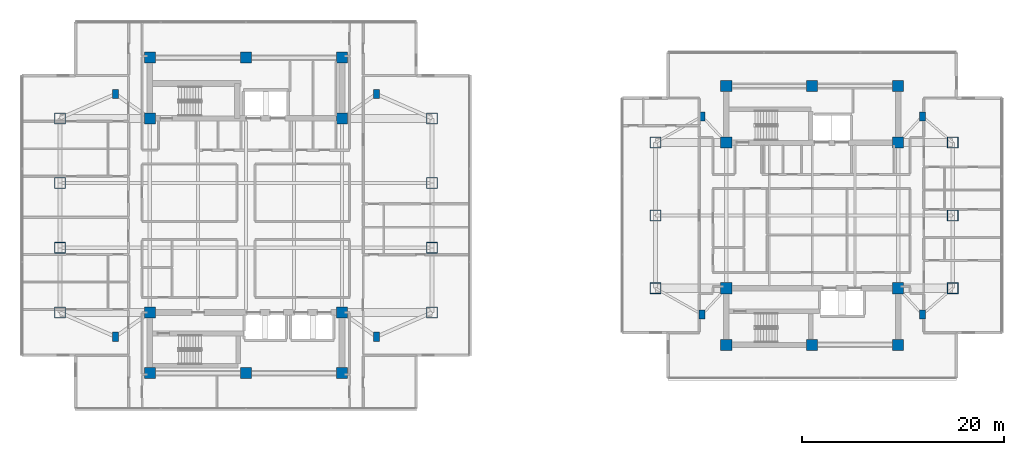
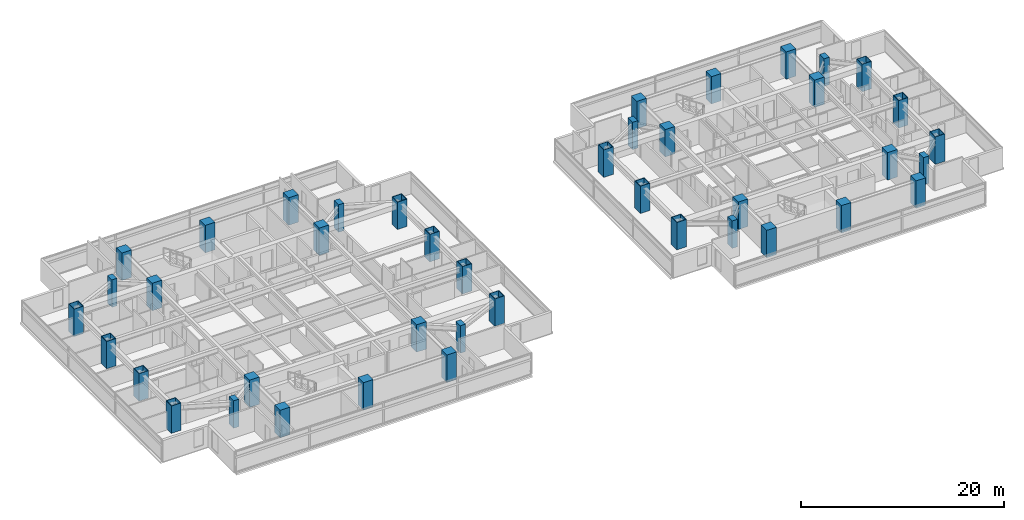
# One storey, part 1 of 24: 42 columns.
"""IFC4 building model written with IfcOpenShell, lengths in metres."""

from ifc_helpers import new_model, si_unit, direction, frame, origin, origin_2d, place, context, subcontext, project, spatial, rectangle, hollow_rectangle, extrude, material, material_profile, profile_set, type_object, element, save


model = new_model("IFC4")

# Units and contexts
model_context = context("Model", 3, precision=1e-05, world=origin(), true_north=direction((0.0, 1.0)))
body_context = subcontext(model_context, "Body", "Model", "MODEL_VIEW")
ifc_project = project(units=[si_unit("LENGTHUNIT", "METRE"), si_unit("AREAUNIT", "SQUARE_METRE"), si_unit("VOLUMEUNIT", "CUBIC_METRE"), si_unit("PLANEANGLEUNIT", "RADIAN"), si_unit("MASSUNIT", "GRAM", prefix="KILO")], contexts=[model_context])

# Site, building, storey
site_placement = place(None, origin())
site = spatial("IfcSite", under=ifc_project, at=site_placement, CompositionType="ELEMENT")
building_placement = place(site_placement, origin())
building = spatial("IfcBuilding", under=site, at=building_placement, Name="Mirazonda Arch Towers", CompositionType="ELEMENT")
storey_placement = place(building_placement, frame((0.0, 0.0, 144.5)))
storey = spatial("IfcBuildingStorey", under=building, at=storey_placement, Name="L41", CompositionType="ELEMENT", Elevation=144.5)

# Columns
ifc_material_1 = material(Name="Concrete C50/60", Category="concrete")
ifc_material_profile_1 = material_profile(ifc_material_1, rectangle(XDim=1.10009765625, YDim=1.10009765625, at=origin_2d()), Name="RC1100x1100")
ifc_profile_set_1 = profile_set([ifc_material_profile_1], Name="Concrete C50/60")
column_type_1 = type_object("IfcColumnType", Name="COL-INT-RC1100x1100", PredefinedType="COLUMN", material=ifc_profile_set_1)
for number, where, z_axis, x_axis, name in (
    (1, (11.0, 12.39990234375, 0.0), (0.0, 0.0, 1.0), (1.0, 0.0, 0.0), "L41 T1 Core Column 01"),
    (2, (20.5, 12.39990234375, 0.0), (0.0, 0.0, 1.0), (1.0, 0.0, 0.0), "L41 T1 Core Column 02"),
    (3, (30.0, 12.39990234375, 0.0), (0.0, 0.0, 1.0), (1.0, 0.0, 0.0), "L41 T1 Core Column 03"),
    (4, (11.0, 18.39990234375, 0.0), (0.0, 0.0, 1.0), (1.0, 0.0, 0.0), "L41 T1 Core Column 04"),
    (5, (30.0, 18.39990234375, 0.0), (0.0, 0.0, 1.0), (1.0, 0.0, 0.0), "L41 T1 Core Column 05"),
    (6, (11.0, 37.60009765625, 0.0), (0.0, 0.0, 1.0), (1.0, 0.0, 0.0), "L41 T1 Core Column 06"),
    (7, (30.0, 37.60009765625, 0.0), (0.0, 0.0, 1.0), (1.0, 0.0, 0.0), "L41 T1 Core Column 07"),
    (8, (11.0, 43.60009765625, 0.0), (0.0, 0.0, 1.0), (1.0, 0.0, 0.0), "L41 T1 Core Column 08"),
    (9, (20.5, 43.60009765625, 0.0), (0.0, 0.0, 1.0), (1.0, 0.0, 0.0), "L41 T1 Core Column 09"),
    (10, (30.0, 43.60009765625, 0.0), (0.0, 0.0, 1.0), (1.0, 0.0, 0.0), "L41 T1 Core Column 10"),
    (11, (68.0, 15.199951171875, 0.0), (0.0, 0.0, 1.0), (1.0, 0.0, 0.0), "L41 T2 Core Column 01"),
    (12, (76.5, 15.199951171875, 0.0), (0.0, 0.0, 1.0), (1.0, 0.0, 0.0), "L41 T2 Core Column 02"),
    (13, (85.0, 15.199951171875, 0.0), (0.0, 0.0, 1.0), (1.0, 0.0, 0.0), "L41 T2 Core Column 03"),
    (14, (68.0, 20.800048828125, 0.0), (0.0, 0.0, 1.0), (1.0, 0.0, 0.0), "L41 T2 Core Column 04"),
    (15, (85.0, 20.800048828125, 0.0), (0.0, 0.0, 1.0), (1.0, 0.0, 0.0), "L41 T2 Core Column 05"),
    (16, (68.0, 35.199951171875, 0.0), (0.0, 0.0, 1.0), (1.0, 0.0, 0.0), "L41 T2 Core Column 06"),
    (17, (85.0, 35.199951171875, 0.0), (0.0, 0.0, 1.0), (1.0, 0.0, 0.0), "L41 T2 Core Column 07"),
    (18, (68.0, 40.800048828125, 0.0), (0.0, 0.0, 1.0), (1.0, 0.0, 0.0), "L41 T2 Core Column 08"),
    (19, (76.5, 40.800048828125, 0.0), (0.0, 0.0, 1.0), (1.0, 0.0, 0.0), "L41 T2 Core Column 09"),
    (20, (85.0, 40.800048828125, 0.0), (0.0, 0.0, 1.0), (1.0, 0.0, 0.0), "L41 T2 Core Column 10"),
):
    element("IfcColumn", number, at=place(storey_placement, frame(where, z_axis=z_axis, x_axis=x_axis)), inside=storey, type_object=column_type_1, Name=name, PredefinedType="COLUMN", context=body_context, shape_type="SweptSolid", body=[
        extrude(rectangle(XDim=1.10009765625, YDim=1.10009765625, at=origin_2d()), origin(), (0.0, 0.0, 1.0), 3.300048828125),
    ])
ifc_material_2 = material(Name="Steel ASTM A572 Grade 50", Category="steel")
ifc_material_profile_2 = material_profile(ifc_material_2, hollow_rectangle(XDim=1.10009765625, YDim=1.10009765625, WallThickness=0.06005859375, at=origin_2d()), Name="BOX1100x1100x60")
ifc_profile_set_2 = profile_set([ifc_material_profile_2], Name="Steel ASTM A572 Grade 50")
column_type_2 = type_object("IfcColumnType", Name="MCOL-EXT-BOX1100x1100x60", PredefinedType="COLUMN", material=ifc_profile_set_2)
for number, where, z_axis, x_axis, name in (
    (21, (2.10009765625, 18.39990234375, 0.0), (0.0, 0.0, 1.0), (1.0, 0.0, 0.0), "L41 T1 Composite Mega-Column 01"),
    (22, (2.10009765625, 24.800048828125, 0.0), (0.0, 0.0, 1.0), (1.0, 0.0, 0.0), "L41 T1 Composite Mega-Column 02"),
    (23, (2.10009765625, 31.199951171875, 0.0), (0.0, 0.0, 1.0), (1.0, 0.0, 0.0), "L41 T1 Composite Mega-Column 03"),
    (24, (2.10009765625, 37.60009765625, 0.0), (0.0, 0.0, 1.0), (1.0, 0.0, 0.0), "L41 T1 Composite Mega-Column 04"),
    (25, (38.89990234375, 18.39990234375, 0.0), (0.0, 0.0, 1.0), (1.0, 0.0, 0.0), "L41 T1 Composite Mega-Column 05"),
    (26, (38.89990234375, 24.800048828125, 0.0), (0.0, 0.0, 1.0), (1.0, 0.0, 0.0), "L41 T1 Composite Mega-Column 06"),
    (27, (38.89990234375, 31.199951171875, 0.0), (0.0, 0.0, 1.0), (1.0, 0.0, 0.0), "L41 T1 Composite Mega-Column 07"),
    (28, (38.89990234375, 37.60009765625, 0.0), (0.0, 0.0, 1.0), (1.0, 0.0, 0.0), "L41 T1 Composite Mega-Column 08"),
    (29, (61.0, 20.800048828125, 0.0), (0.0, 0.0, 1.0), (1.0, 0.0, 0.0), "L41 T2 Composite Mega-Column 01"),
    (30, (61.0, 28.0, 0.0), (0.0, 0.0, 1.0), (1.0, 0.0, 0.0), "L41 T2 Composite Mega-Column 02"),
    (31, (61.0, 35.199951171875, 0.0), (0.0, 0.0, 1.0), (1.0, 0.0, 0.0), "L41 T2 Composite Mega-Column 03"),
    (32, (90.39990234375, 20.800048828125, 0.0), (0.0, 0.0, 1.0), (1.0, 0.0, 0.0), "L41 T2 Composite Mega-Column 04"),
    (33, (90.39990234375, 28.0, 0.0), (0.0, 0.0, 1.0), (1.0, 0.0, 0.0), "L41 T2 Composite Mega-Column 05"),
    (34, (90.39990234375, 35.199951171875, 0.0), (0.0, 0.0, 1.0), (1.0, 0.0, 0.0), "L41 T2 Composite Mega-Column 06"),
):
    element("IfcColumn", number, at=place(storey_placement, frame(where, z_axis=z_axis, x_axis=x_axis)), inside=storey, type_object=column_type_2, Name=name, PredefinedType="COLUMN", context=body_context, shape_type="SweptSolid", body=[
        extrude(hollow_rectangle(XDim=1.10009765625, YDim=1.10009765625, WallThickness=0.06005859375, at=origin_2d()), origin(), (0.0, 0.0, 1.0), 3.300048828125),
    ])
ifc_material_profile_3 = material_profile(ifc_material_1, rectangle(XDim=0.60009765625, YDim=0.89990234375, at=origin_2d()), Name="RC900x600")
ifc_profile_set_3 = profile_set([ifc_material_profile_3], Name="Concrete C50/60")
column_type_3 = type_object("IfcColumnType", Name="PIL-EXT-RC900x600", PredefinedType="PILASTER", material=ifc_profile_set_3)
for number, where, z_axis, x_axis, name in (
    (35, (7.60009765625, 16.0, 0.0), (0.0, 0.0, 1.0), (1.0, 0.0, 0.0), "L41 T1 Corner Pilaster 01"),
    (36, (33.39990234375, 16.0, 0.0), (0.0, 0.0, 1.0), (1.0, 0.0, 0.0), "L41 T1 Corner Pilaster 02"),
    (37, (7.60009765625, 40.0, 0.0), (0.0, 0.0, 1.0), (1.0, 0.0, 0.0), "L41 T1 Corner Pilaster 03"),
    (38, (33.39990234375, 40.0, 0.0), (0.0, 0.0, 1.0), (1.0, 0.0, 0.0), "L41 T1 Corner Pilaster 04"),
    (39, (65.60009765625, 18.199951171875, 0.0), (0.0, 0.0, 1.0), (1.0, 0.0, 0.0), "L41 T2 Corner Pilaster 01"),
    (40, (87.39990234375, 18.199951171875, 0.0), (0.0, 0.0, 1.0), (1.0, 0.0, 0.0), "L41 T2 Corner Pilaster 02"),
    (41, (65.60009765625, 37.800048828125, 0.0), (0.0, 0.0, 1.0), (1.0, 0.0, 0.0), "L41 T2 Corner Pilaster 03"),
    (42, (87.39990234375, 37.800048828125, 0.0), (0.0, 0.0, 1.0), (1.0, 0.0, 0.0), "L41 T2 Corner Pilaster 04"),
):
    element("IfcColumn", number, at=place(storey_placement, frame(where, z_axis=z_axis, x_axis=x_axis)), inside=storey, type_object=column_type_3, Name=name, PredefinedType="PILASTER", context=body_context, shape_type="SweptSolid", body=[
        extrude(rectangle(XDim=0.60009765625, YDim=0.89990234375, at=origin_2d()), origin(), (0.0, 0.0, 1.0), 3.300048828125),
    ])

save(model, "model.ifc")
